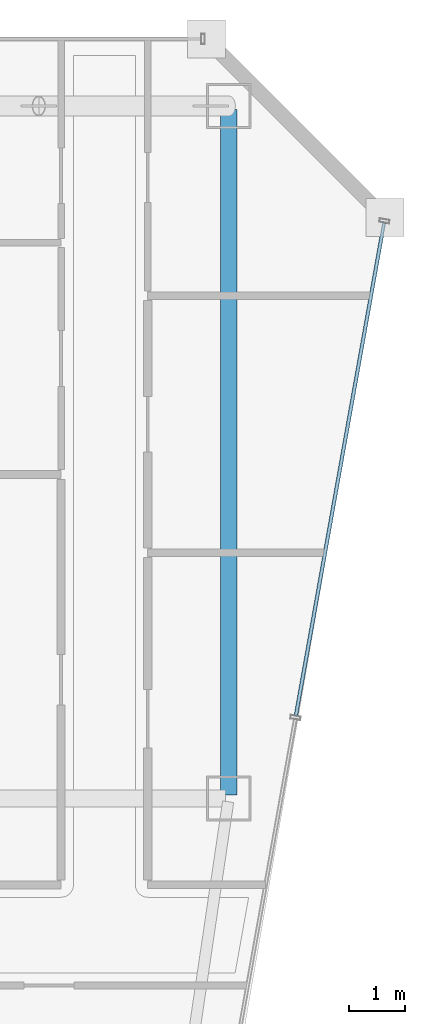
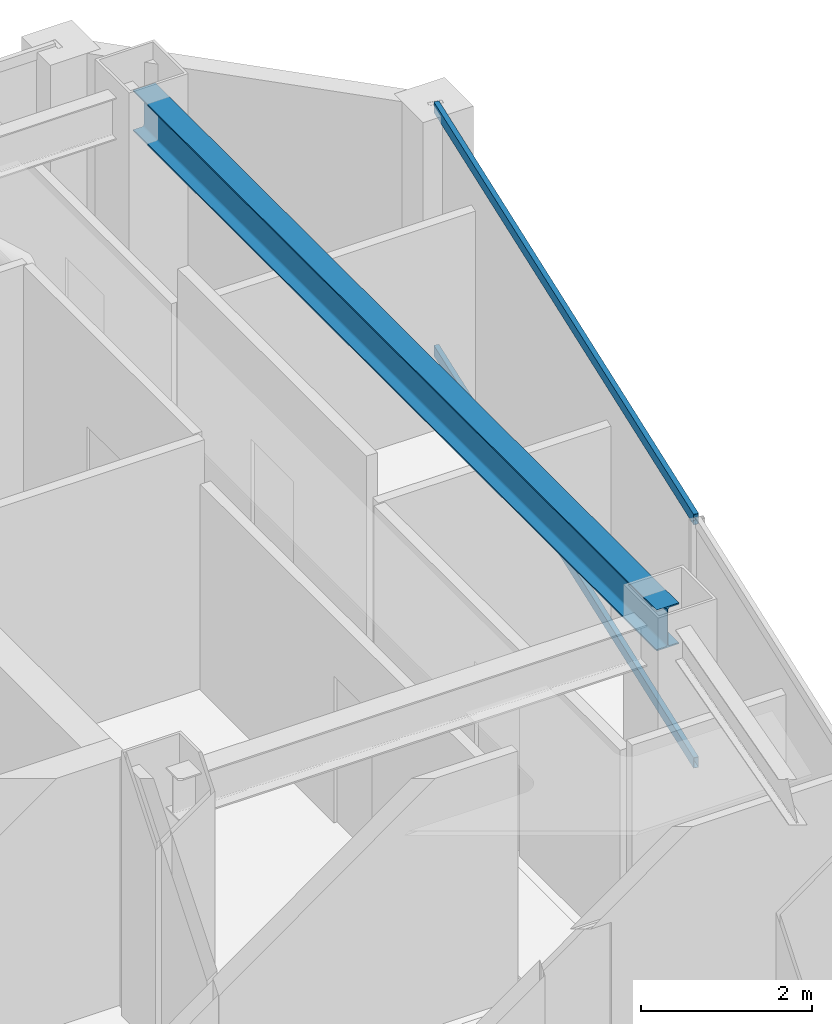
# One storey, part 12 of 28: 2 members, 1 beam, 1 element without a shape of its own.
"""IFC4 building model written with IfcOpenShell, lengths in metres."""

from ifc_helpers import new_model, si_unit, direction, frame, origin, origin_2d, place, context, subcontext, project, spatial, hollow_rectangle, i_section, extrude, material, material_profile, profile_set, type_object, element, aggregate, save


model = new_model("IFC4")

# Units and contexts
model_context = context("Model", 3, precision=1e-05, world=origin(), true_north=direction((0.0, 1.0)))
body_context = subcontext(model_context, "Body", "Model", "MODEL_VIEW")
ifc_project = project(units=[si_unit("LENGTHUNIT", "METRE"), si_unit("AREAUNIT", "SQUARE_METRE"), si_unit("VOLUMEUNIT", "CUBIC_METRE"), si_unit("PLANEANGLEUNIT", "RADIAN"), si_unit("MASSUNIT", "GRAM", prefix="KILO")], contexts=[model_context])

# Site, building, storey
site_placement = place(None, origin())
site = spatial("IfcSite", under=ifc_project, at=site_placement, CompositionType="ELEMENT")
building_placement = place(site_placement, origin())
building = spatial("IfcBuilding", under=site, at=building_placement, Name="Saevonmaru Cultural Tower", CompositionType="ELEMENT")
storey_placement = place(building_placement, frame((0.0, 0.0, 253.39990234375)))
storey = spatial("IfcBuildingStorey", under=building, at=storey_placement, Name="L59", CompositionType="ELEMENT", Elevation=253.39990234375)

# Beam
ifc_material_1 = material(Name="Steel SM355", Category="steel")
ifc_material_profile_1 = material_profile(ifc_material_1, i_section(OverallWidth=0.300048828125, OverallDepth=0.587890625, WebThickness=0.011962890625, FlangeThickness=0.02001953125, FilletRadius=0.02392578125, at=origin_2d()), Name="H-588x300x12x20")
ifc_profile_set_1 = profile_set([ifc_material_profile_1], Name="Steel SM355")
beam_type = type_object("IfcBeamType", Name="BM-G-H588", PredefinedType="BEAM", material=ifc_profile_set_1)
beam_placement = place(storey_placement, frame((53.199951171875, 54.739990234375, 3.256103515625), z_axis=(0.0, -1.0, 0.0), x_axis=(1.0, 0.0, 0.0)))
element("IfcBeam", 1, at=beam_placement, inside=storey, type_object=beam_type, Name="L59 Spine Transverse Girder E", PredefinedType="BEAM", context=body_context, shape_type="SweptSolid", body=[
    extrude(i_section(OverallWidth=0.300048828125, OverallDepth=0.587890625, WebThickness=0.011962890625, FlangeThickness=0.02001953125, FilletRadius=0.02392578125, at=origin_2d()), origin(), (0.0, 0.0, 1.0), 12.280029296875),
])

# Curtain wall, members
ifc_material_2 = material(Name="Satin Bronze Anodised Aluminium", Category="aluminium")
curtain_wall_type = type_object("IfcCurtainWallType", Name="CW-TYP-B", PredefinedType="NOTDEFINED", material=ifc_material_2)
curtain_wall_placement = place(storey_placement, origin())
curtain_wall = element("IfcCurtainWall", 2, at=curtain_wall_placement, inside=storey, type_object=curtain_wall_type, Name="L59 Unitised Curtain Wall E8", PredefinedType="NOTDEFINED")
ifc_material_profile_2 = material_profile(ifc_material_2, hollow_rectangle(XDim=0.06494140625, YDim=0.14990234375, WallThickness=0.00390625, at=origin_2d()), Name="ALU-TRAN-150x65x4")
ifc_profile_set_2 = profile_set([ifc_material_profile_2], Name="Satin Bronze Anodised Aluminium")
member_type = type_object("IfcMemberType", Name="TR-CW-150x65", PredefinedType="USERDEFINED", material=ifc_profile_set_2)
member_1_placement = place(storey_placement, frame((54.403564453125, 43.87890625, 0.03271484375), z_axis=(0.176144810911, 0.984364264685, 0.0), x_axis=(-0.984364264685, 0.176144810911, 0.0)))
member_1 = element("IfcMember", 3, at=member_1_placement, type_object=member_type, Name="CW-TW-L59-E8 transom 3.1", ObjectType="TRANSOM", PredefinedType="USERDEFINED", context=body_context, shape_type="SweptSolid", body=[
    extrude(hollow_rectangle(XDim=0.06494140625, YDim=0.14990234375, WallThickness=0.00390625, at=origin_2d()), origin(), (0.0, 0.0, 1.0), 8.97021484375),
])
member_2_placement = place(storey_placement, frame((54.403564453125, 43.87890625, 3.517578125), z_axis=(0.176144810911, 0.984364264685, 0.0), x_axis=(-0.984364264685, 0.176144810911, 0.0)))
member_2 = element("IfcMember", 4, at=member_2_placement, type_object=member_type, Name="CW-TW-L59-E8 transom 3.2", ObjectType="TRANSOM", PredefinedType="USERDEFINED", context=body_context, shape_type="SweptSolid", body=[
    extrude(hollow_rectangle(XDim=0.06494140625, YDim=0.14990234375, WallThickness=0.00390625, at=origin_2d()), origin(), (0.0, 0.0, 1.0), 8.97021484375),
])
aggregate(curtain_wall, [member_1, member_2])

save(model, "model.ifc")
